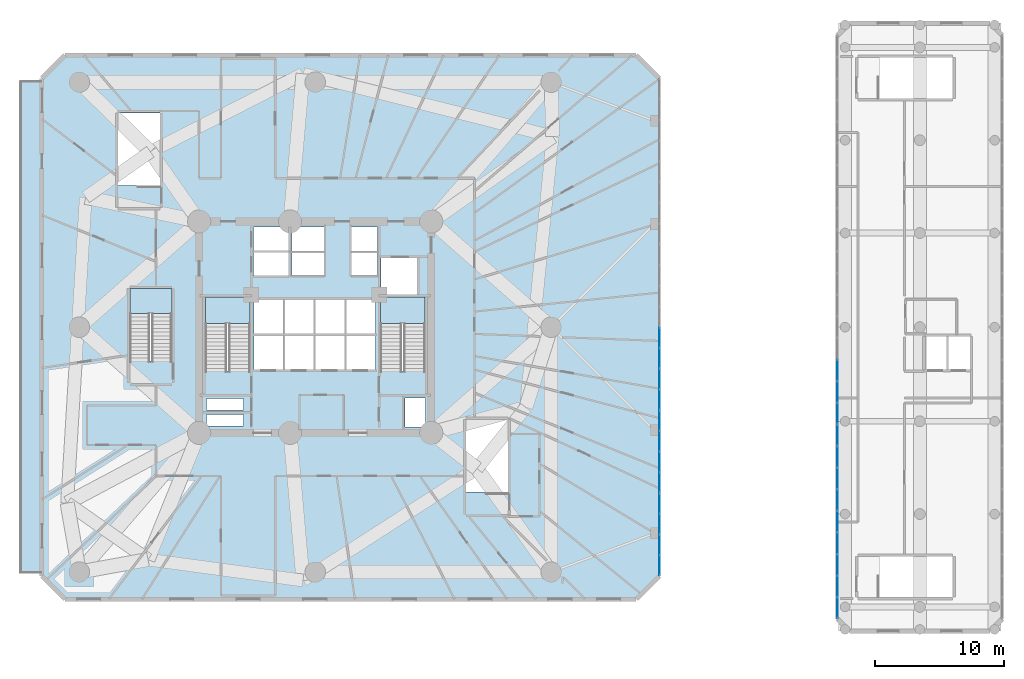
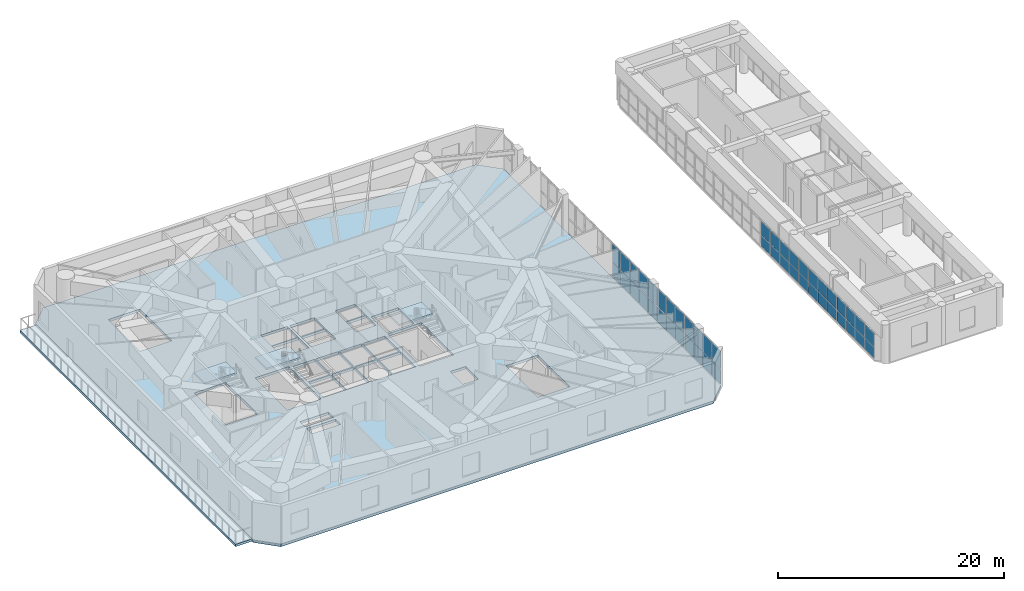
# One storey, part 10 of 22: 48 plates, 5 slabs, 8 elements without a shape of their own.
"""IFC4 building model written with IfcOpenShell, lengths in metres."""

import ifcopenshell
import ifcopenshell.guid

model = None  # the IFC model being written
_history = None  # IfcOwnerHistory: only IFC2X3 demands one
_inside = {}  # id of a spatial element -> (the spatial element, [elements in it])
_under = {}  # id of a project, library or spatial element -> (it, [spatial elements below it])
_declared = {}  # id of a project -> (the project, [libraries it declares])
_typed = {}  # id of a type object -> (the type object, [elements of that type])
_made_of = {}  # id of a material, layer set ... -> (it, [elements and type objects made of it])


def new_model(schema):
    """Start an empty IFC model of exactly this schema.

    Asked for "IFC4X3", IfcOpenShell would pick the latest addendum, in which some entities
    have other attributes; the version numbers below select the first issue.
    IFC2X3 requires an IfcOwnerHistory on every rooted entity: one is made here for all.
    """
    global model, _history
    if schema == "IFC4X3":
        model = ifcopenshell.file(schema_version=(4, 3, 0, 0))
    else:
        model = ifcopenshell.file(schema=schema)
    _inside.clear()
    _under.clear()
    _declared.clear()
    _typed.clear()
    _made_of.clear()
    _history = None
    if model.schema == "IFC2X3":
        org = make("IfcOrganization", Name="unknown")
        user = make(
            "IfcPersonAndOrganization",
            ThePerson=make("IfcPerson", FamilyName="unknown"),
            TheOrganization=org,
        )
        app = make(
            "IfcApplication",
            ApplicationDeveloper=org,
            Version="unknown",
            ApplicationFullName="unknown",
            ApplicationIdentifier="unknown",
        )
        _history = make(
            "IfcOwnerHistory",
            OwningUser=user,
            OwningApplication=app,
            ChangeAction="ADDED",
            CreationDate=0,
        )
    return model


def make(cls, **values):
    """One entity of the class cls with the attributes given. An attribute that is None is left unset."""
    return model.create_entity(
        cls, **{name: value for name, value in values.items() if value is not None}
    )


def rooted(cls, **values):
    """An entity with a GlobalId (a new one), such as an element, a storey or a relation."""
    return make(cls, GlobalId=ifcopenshell.guid.new(), OwnerHistory=_history, **values)


def si_unit(unit_type, name, prefix=None):
    """IfcSIUnit, for example si_unit("LENGTHUNIT", "METRE", prefix="MILLI")."""
    return make("IfcSIUnit", UnitType=unit_type, Prefix=prefix, Name=name)


def assignment(units):
    """IfcUnitAssignment: the units of a project."""
    return None if units is None else make("IfcUnitAssignment", Units=units)


def point(xyz):
    """IfcCartesianPoint."""
    return None if xyz is None else make("IfcCartesianPoint", Coordinates=xyz)


def direction(xyz):
    """IfcDirection."""
    return None if xyz is None else make("IfcDirection", DirectionRatios=xyz)


def frame(location, z_axis=None, x_axis=None):
    """IfcAxis2Placement3D, a coordinate frame: its origin and axes. An axis left out is left unset."""
    return make(
        "IfcAxis2Placement3D",
        Location=point(location),
        Axis=direction(z_axis),
        RefDirection=direction(x_axis),
    )


def frame_2d(location, x_axis=None):
    """IfcAxis2Placement2D, a coordinate frame in the plane: its origin and x axis."""
    return make(
        "IfcAxis2Placement2D", Location=point(location), RefDirection=direction(x_axis)
    )


def origin():
    """The frame at (0, 0, 0) with its axes left unset."""
    return frame((0.0, 0.0, 0.0))


def origin_with_axes():
    """The frame at (0, 0, 0) with the z axis (0, 0, 1) and the x axis (1, 0, 0) written out."""
    return frame((0.0, 0.0, 0.0), z_axis=(0.0, 0.0, 1.0), x_axis=(1.0, 0.0, 0.0))


def origin_2d():
    """The frame at (0, 0) in the plane with its x axis left unset."""
    return frame_2d((0.0, 0.0))


def place(relative_to, where):
    """IfcLocalPlacement: puts the frame where relative to a parent placement (None: the world)."""
    return make(
        "IfcLocalPlacement", PlacementRelTo=relative_to, RelativePlacement=where
    )


def context(
    kind, dimensions, precision=None, world=None, true_north=None, identifier=None
):
    """IfcGeometricRepresentationContext, for example the 3D "Model" context."""
    return make(
        "IfcGeometricRepresentationContext",
        ContextIdentifier=identifier,
        ContextType=kind,
        CoordinateSpaceDimension=dimensions,
        Precision=precision,
        WorldCoordinateSystem=world,
        TrueNorth=true_north,
    )


def subcontext(parent, identifier, kind, view, scale=None):
    """IfcGeometricRepresentationSubContext, for example "Body" below "Model"."""
    return make(
        "IfcGeometricRepresentationSubContext",
        ContextIdentifier=identifier,
        ContextType=kind,
        ParentContext=parent,
        TargetScale=scale,
        TargetView=view,
    )


def project(units=None, contexts=None):
    """IfcProject with its units and contexts."""
    return rooted(
        "IfcProject",
        Name="project",
        RepresentationContexts=contexts,
        UnitsInContext=assignment(units),
    )


def spatial(cls, under=None, at=None, **own):
    """A site, building, storey or space (cls), placed at a placement, below another one or the project."""
    s = rooted(cls, ObjectPlacement=at, **own)
    if under is not None:
        _under.setdefault(under.id(), (under, []))[1].append(s)
    return s


def polyline(points):
    """IfcPolyline through the points."""
    return make("IfcPolyline", Points=[point(p) for p in points])


def profile(cls, at=None, kind="AREA", **sizes):
    """A parametric profile (cls). Its sizes go by their IFC names, for example OverallWidth=200.0."""
    return make(cls, ProfileType=kind, Position=at, **sizes)


def rectangle(**sizes):
    """IfcRectangleProfileDef."""
    return profile("IfcRectangleProfileDef", **sizes)


def outline(outer, holes=None, kind="AREA"):
    """IfcArbitraryClosedProfileDef: a profile drawn as a closed curve; with holes, ...WithVoids."""
    if holes is None:
        return make("IfcArbitraryClosedProfileDef", ProfileType=kind, OuterCurve=outer)
    return make(
        "IfcArbitraryProfileDefWithVoids",
        ProfileType=kind,
        OuterCurve=outer,
        InnerCurves=holes,
    )


def extrude(swept, where, along, depth):
    """IfcExtrudedAreaSolid: the profile swept, set in the frame where, extruded along a direction by depth."""
    return make(
        "IfcExtrudedAreaSolid",
        SweptArea=swept,
        Position=where,
        ExtrudedDirection=direction(along),
        Depth=depth,
    )


def shape(context_of_items, identifier, shape_type, items):
    """IfcShapeRepresentation: the items that make up one representation, for example the "Body"."""
    return make(
        "IfcShapeRepresentation",
        ContextOfItems=context_of_items,
        RepresentationIdentifier=identifier,
        RepresentationType=shape_type,
        Items=items,
    )


def source(mapping_origin, context_of_items, identifier, shape_type, items):
    """IfcRepresentationMap: a shape defined once, which mapped items show again and again."""
    return make(
        "IfcRepresentationMap",
        MappingOrigin=mapping_origin,
        MappedRepresentation=shape(context_of_items, identifier, shape_type, items),
    )


def transform(
    local_origin,
    x_axis=None,
    y_axis=None,
    z_axis=None,
    scale=None,
    scale2=None,
    scale3=None,
    uniform=True,
):
    """IfcCartesianTransformationOperator3D, or its non-uniform kind. x_axis, y_axis, z_axis: its Axis1, 2, 3."""
    if uniform:
        return make(
            "IfcCartesianTransformationOperator3D",
            Axis1=direction(x_axis),
            Axis2=direction(y_axis),
            LocalOrigin=point(local_origin),
            Scale=scale,
            Axis3=direction(z_axis),
        )
    return make(
        "IfcCartesianTransformationOperator3DnonUniform",
        Axis1=direction(x_axis),
        Axis2=direction(y_axis),
        LocalOrigin=point(local_origin),
        Scale=scale,
        Axis3=direction(z_axis),
        Scale2=scale2,
        Scale3=scale3,
    )


def mapped(mapping_source, mapping_target):
    """IfcMappedItem: shows the shape of a source again, moved by a transform."""
    return make(
        "IfcMappedItem", MappingSource=mapping_source, MappingTarget=mapping_target
    )


def material(Name=None, Category=None):
    """IfcMaterial."""
    return make("IfcMaterial", Name=Name, Category=Category)


def layer(
    of_material, thickness, ventilated=None, Name=None, Category=None, Priority=None
):
    """IfcMaterialLayer: one layer of a wall or slab, of a material (None: an air gap)."""
    return make(
        "IfcMaterialLayer",
        Material=of_material,
        LayerThickness=thickness,
        IsVentilated=ventilated,
        Name=Name,
        Category=Category,
        Priority=Priority,
    )


def layer_set(layers, Name=None):
    """IfcMaterialLayerSet."""
    return make("IfcMaterialLayerSet", MaterialLayers=layers, LayerSetName=Name)


def made_of(thing, what):
    """Note that an element or type object is made of a material, layer set ...; save() writes the relation."""
    if what is not None:
        _made_of.setdefault(what.id(), (what, []))[1].append(thing)
    return thing


def type_object(cls, material=None, **own):
    """A type object (cls), such as IfcWallType, which elements share."""
    return made_of(rooted(cls, **own), material)


def element(
    cls,
    number,
    at=None,
    inside=None,
    cuts=None,
    type_object=None,
    material=None,
    context=None,
    identifier="Body",
    shape_type=None,
    held_by="IfcProductDefinitionShape",
    body=None,
    shapes=None,
    **own,
):
    """One element of the class cls, such as IfcWall. Its Tag is "e" and its number.

    at: its placement. inside: the storey or other place that contains it. cuts: it is an
    opening in that element (IfcRelVoidsElement). A single representation is given by context,
    identifier, shape_type and body (its items); several are given by shapes. held_by: the class
    of the entity that holds the representations. save() writes the other relations.
    """
    e = rooted(cls, Tag="e%d" % number, ObjectPlacement=at, **own)
    if body is not None:
        shapes = [shape(context, identifier, shape_type, body)]
    if shapes is not None:
        e.Representation = make(held_by, Representations=shapes)
    if inside is not None:
        _inside.setdefault(inside.id(), (inside, []))[1].append(e)
    if cuts is not None:
        rooted(
            "IfcRelVoidsElement", RelatingBuildingElement=cuts, RelatedOpeningElement=e
        )
    if type_object is not None:
        _typed.setdefault(type_object.id(), (type_object, []))[1].append(e)
    return made_of(e, material)


def aggregate(whole, parts):
    """IfcRelAggregates: a whole, such as a stair, and the parts it consists of."""
    return rooted("IfcRelAggregates", RelatingObject=whole, RelatedObjects=parts)


def save(model, path):
    """Write the relations noted so far, then the file.

    IfcRelAggregates (storeys below a building ...), IfcRelContainedInSpatialStructure (elements
    in a storey), IfcRelDefinesByType, IfcRelAssociatesMaterial and IfcRelDeclares: one each for
    every whole, place, type object, material and project.
    """
    for whole, parts in _under.values():
        aggregate(whole, parts)
    for where, things in _inside.values():
        rooted(
            "IfcRelContainedInSpatialStructure",
            RelatedElements=things,
            RelatingStructure=where,
        )
    for kind, things in _typed.values():
        rooted("IfcRelDefinesByType", RelatedObjects=things, RelatingType=kind)
    for what, things in _made_of.values():
        rooted("IfcRelAssociatesMaterial", RelatedObjects=things, RelatingMaterial=what)
    for by, libraries in _declared.values():
        rooted("IfcRelDeclares", RelatingContext=by, RelatedDefinitions=libraries)
    model.write(path)


model = new_model("IFC4")

# Units and contexts
model_context = context("Model", 3, precision=1e-05, world=origin(), true_north=direction((0.0, 1.0)))
body_context = subcontext(model_context, "Body", "Model", "MODEL_VIEW")
ifc_project = project(units=[si_unit("LENGTHUNIT", "METRE"), si_unit("AREAUNIT", "SQUARE_METRE"), si_unit("VOLUMEUNIT", "CUBIC_METRE"), si_unit("PLANEANGLEUNIT", "RADIAN"), si_unit("MASSUNIT", "GRAM", prefix="KILO")], contexts=[model_context])

# Site, building, storey
site_placement = place(None, origin())
site = spatial("IfcSite", under=ifc_project, at=site_placement, CompositionType="ELEMENT")
building_placement = place(site_placement, origin())
building = spatial("IfcBuilding", under=site, at=building_placement, Name="Karkom Vertical University and Central Library", CompositionType="ELEMENT")
storey_placement = place(building_placement, frame((0.0, 0.0, 18.0)))
storey = spatial("IfcBuildingStorey", under=building, at=storey_placement, Name="L04", CompositionType="ELEMENT", Elevation=18.0)

# Stair, slab
ifc_material_1 = material(Name="Concrete C45/55", Category="concrete")
stair_type_1 = type_object("IfcStairType", Name="INT-STR-ST-MAIN", PredefinedType="HALF_TURN_STAIR", material=ifc_material_1)
stair_1_placement = place(storey_placement, origin())
stair_1 = element("IfcStair", 1, at=stair_1_placement, inside=storey, type_object=stair_type_1, Name="Level 04 Tower Protected Exit Stair ST-1", PredefinedType="HALF_TURN_STAIR")
ifc_layer_1 = layer(ifc_material_1, 0.199951171875)
ifc_layer_set_1 = layer_set([ifc_layer_1], Name="Concrete C45/55")
slab_type_1 = type_object("IfcSlabType", Name="INT-SLB-LANDING", PredefinedType="LANDING", material=ifc_layer_set_1)
slab_1_placement = place(storey_placement, frame((0.0, 0.0, 2.050048828125)))
slab_1 = element("IfcSlab", 2, at=slab_1_placement, type_object=slab_type_1, Name="ST-1 landing 1", PredefinedType="LANDING", context=body_context, shape_type="SweptSolid", body=[
    extrude(outline(polyline([(23.43994140625, 26.7900390625), (23.43994140625, 28.820068359375), (19.97998046875, 28.820068359375), (19.97998046875, 26.7900390625), (23.43994140625, 26.7900390625)])), origin(), (0.0, 0.0, 1.0), 0.199951171875),
])
aggregate(stair_1, [slab_1])

stair_2_placement = place(storey_placement, origin())
stair_2 = element("IfcStair", 3, at=stair_2_placement, inside=storey, type_object=stair_type_1, Name="Level 04 Tower Protected Exit Stair ST-2", PredefinedType="HALF_TURN_STAIR")
slab_2_placement = place(storey_placement, frame((0.0, 0.0, 2.050048828125)))
slab_2 = element("IfcSlab", 4, at=slab_2_placement, type_object=slab_type_1, Name="ST-2 landing 1", PredefinedType="LANDING", context=body_context, shape_type="SweptSolid", body=[
    extrude(outline(polyline([(37.02001953125, 26.7900390625), (37.02001953125, 28.820068359375), (33.56005859375, 28.820068359375), (33.56005859375, 26.7900390625), (37.02001953125, 26.7900390625)])), origin(), (0.0, 0.0, 1.0), 0.199951171875),
])
aggregate(stair_2, [slab_2])

stair_type_2 = type_object("IfcStairType", Name="INT-STR-ST-SEC", PredefinedType="HALF_TURN_STAIR", material=ifc_material_1)
stair_3_placement = place(storey_placement, origin())
stair_3 = element("IfcStair", 5, at=stair_3_placement, inside=storey, type_object=stair_type_2, Name="Level 04 Academic Zone Protected Exit Stair ST-3", PredefinedType="HALF_TURN_STAIR")
slab_3_placement = place(storey_placement, frame((0.0, 0.0, 2.050048828125)))
slab_3 = element("IfcSlab", 6, at=slab_3_placement, type_object=slab_type_1, Name="ST-3 landing 1", PredefinedType="LANDING", context=body_context, shape_type="SweptSolid", body=[
    extrude(outline(polyline([(17.3798828125, 27.570068359375), (17.3798828125, 29.5), (14.1201171875, 29.5), (14.1201171875, 27.570068359375), (17.3798828125, 27.570068359375)])), origin(), (0.0, 0.0, 1.0), 0.199951171875),
])
aggregate(stair_3, [slab_3])

# Slabs
ifc_layer_2 = layer(ifc_material_1, 0.27490234375)
ifc_layer_set_2 = layer_set([ifc_layer_2], Name="Concrete C45/55")
slab_type_2 = type_object("IfcSlabType", Name="STR-SLB-FLR-275", PredefinedType="FLOOR", material=ifc_layer_set_2)
slab_4_placement = place(storey_placement, frame((0.0, 0.0, -0.27490234375)))
element("IfcSlab", 7, at=slab_4_placement, inside=storey, type_object=slab_type_2, Name="Level 04 Tower Podium Floor Slab", PredefinedType="FLOOR", context=body_context, shape_type="SweptSolid", body=[
    extrude(outline(polyline([(9.10009765625, 5.39990234375), (53.39990234375, 5.39990234375), (55.199951171875, 7.199951171875), (55.199951171875, 45.800048828125), (53.39990234375, 47.60009765625), (9.10009765625, 47.60009765625), (7.300048828125, 45.800048828125), (7.300048828125, 7.199951171875), (9.10009765625, 5.39990234375)]), holes=[polyline([(19.97998046875, 23.0849609375), (23.43994140625, 23.0849609375), (23.43994140625, 28.820068359375), (19.97998046875, 28.820068359375), (19.97998046875, 23.0849609375)]), polyline([(33.56005859375, 23.0849609375), (37.02001953125, 23.0849609375), (37.02001953125, 28.820068359375), (33.56005859375, 28.820068359375), (33.56005859375, 23.0849609375)]), polyline([(14.1201171875, 23.864990234375), (17.3798828125, 23.864990234375), (17.3798828125, 29.5), (14.1201171875, 29.5), (14.1201171875, 23.864990234375)]), polyline([(40.199951171875, 13.695068359375), (43.4599609375, 13.695068359375), (43.4599609375, 19.330078125), (40.199951171875, 19.330078125), (40.199951171875, 13.695068359375)]), polyline([(13.199951171875, 37.4951171875), (16.4599609375, 37.4951171875), (16.4599609375, 43.1298828125), (13.199951171875, 43.1298828125), (13.199951171875, 37.4951171875)]), polyline([(23.75, 23.199951171875), (26.030029296875, 23.199951171875), (26.030029296875, 25.85009765625), (23.75, 25.85009765625), (23.75, 23.199951171875)]), polyline([(26.1298828125, 23.199951171875), (28.409912109375, 23.199951171875), (28.409912109375, 25.85009765625), (26.1298828125, 25.85009765625), (26.1298828125, 23.199951171875)]), polyline([(28.510009765625, 23.199951171875), (30.7900390625, 23.199951171875), (30.7900390625, 25.85009765625), (28.510009765625, 25.85009765625), (28.510009765625, 23.199951171875)]), polyline([(30.889892578125, 23.199951171875), (33.169921875, 23.199951171875), (33.169921875, 25.85009765625), (30.889892578125, 25.85009765625), (30.889892578125, 23.199951171875)]), polyline([(23.75, 26.0), (26.030029296875, 26.0), (26.030029296875, 28.64990234375), (23.75, 28.64990234375), (23.75, 26.0)]), polyline([(26.1298828125, 26.0), (28.409912109375, 26.0), (28.409912109375, 28.64990234375), (26.1298828125, 28.64990234375), (26.1298828125, 26.0)]), polyline([(28.510009765625, 26.0), (30.7900390625, 26.0), (30.7900390625, 28.64990234375), (28.510009765625, 28.64990234375), (28.510009765625, 26.0)]), polyline([(30.889892578125, 26.0), (33.169921875, 26.0), (33.169921875, 28.64990234375), (30.889892578125, 28.64990234375), (30.889892578125, 26.0)]), polyline([(26.679931640625, 30.5), (29.199951171875, 30.5), (29.199951171875, 32.25), (26.679931640625, 32.25), (26.679931640625, 30.5)]), polyline([(26.679931640625, 32.39990234375), (29.199951171875, 32.39990234375), (29.199951171875, 34.25), (26.679931640625, 34.25), (26.679931640625, 32.39990234375)]), polyline([(31.300048828125, 30.5), (33.35009765625, 30.5), (33.35009765625, 32.25), (31.300048828125, 32.25), (31.300048828125, 30.5)]), polyline([(31.300048828125, 32.39990234375), (33.35009765625, 32.39990234375), (33.35009765625, 34.25), (31.300048828125, 34.25), (31.300048828125, 32.39990234375)]), polyline([(23.719970703125, 30.47998046875), (26.429931640625, 30.47998046875), (26.429931640625, 32.320068359375), (23.719970703125, 32.320068359375), (23.719970703125, 30.47998046875)]), polyline([(23.719970703125, 32.419921875), (26.429931640625, 32.419921875), (26.429931640625, 34.260009765625), (23.719970703125, 34.260009765625), (23.719970703125, 32.419921875)]), polyline([(33.60009765625, 29.050048828125), (36.39990234375, 29.050048828125), (36.39990234375, 31.85009765625), (33.60009765625, 31.85009765625), (33.60009765625, 29.050048828125)]), polyline([(20.050048828125, 18.820068359375), (22.949951171875, 18.820068359375), (22.949951171875, 19.719970703125), (20.050048828125, 19.719970703125), (20.050048828125, 18.820068359375)]), polyline([(20.050048828125, 20.06005859375), (22.949951171875, 20.06005859375), (22.949951171875, 20.9599609375), (20.050048828125, 20.9599609375), (20.050048828125, 20.06005859375)]), polyline([(35.4599609375, 18.760009765625), (37.0400390625, 18.760009765625), (37.0400390625, 21.010009765625), (35.4599609375, 21.010009765625), (35.4599609375, 18.760009765625)])]), origin(), (0.0, 0.0, 1.0), 0.27490234375),
])
ifc_layer_3 = layer(ifc_material_1, 0.199951171875)
ifc_layer_set_3 = layer_set([ifc_layer_3], Name="Concrete C45/55")
slab_type_3 = type_object("IfcSlabType", Name="STR-SLB-PLN-260", PredefinedType="USERDEFINED", material=ifc_layer_set_3)
slab_5_placement = place(storey_placement, frame((0.0, 0.0, -0.260009765625)))
element("IfcSlab", 8, at=slab_5_placement, inside=storey, type_object=slab_type_3, Name="Level 04 Terraced Podium Planted Roof Garden Planter", ObjectType="PLANTER", PredefinedType="USERDEFINED", context=body_context, shape_type="SweptSolid", body=[
    extrude(outline(polyline([(5.60009765625, 7.39990234375), (7.300048828125, 7.39990234375), (7.300048828125, 45.60009765625), (5.60009765625, 45.60009765625), (5.60009765625, 7.39990234375)])), origin(), (0.0, 0.0, 1.0), 0.260009765625),
])

# Curtain wall, plates
ifc_material_2 = material(Name="Aluminium curtain-wall framing and low-E IGU", Category="aluminium")
ifc_layer_4 = layer(ifc_material_2, 0.199951171875)
ifc_layer_set_4 = layer_set([ifc_layer_4], Name="Aluminium curtain-wall framing and low-E IGU")
curtain_wall_type_1 = type_object("IfcCurtainWallType", Name="ENV-CW-4", PredefinedType="USERDEFINED", material=ifc_layer_set_4)
curtain_wall_1_placement = place(storey_placement, origin())
curtain_wall_1 = element("IfcCurtainWall", 9, at=curtain_wall_1_placement, inside=storey, type_object=curtain_wall_type_1, Name="Level 04 CW-4 Curtain Wall Level 04-CW4-3-1", ObjectType="UNITISED GLAZING", PredefinedType="USERDEFINED")
ifc_material_3 = material(Name="Solar-control low-E double glazing 32mm", Category="glass")
ifc_layer_5 = layer(ifc_material_3, 0.031982421875)
ifc_layer_set_5 = layer_set([ifc_layer_5], Name="Solar-control low-E double glazing 32mm")
plate_type_1 = type_object("IfcPlateType", Name="ENV-PLT-GLZ-32", PredefinedType="CURTAIN_PANEL", material=ifc_layer_set_5)
shared_shape_1 = source(origin_with_axes(), body_context, "Body", "SweptSolid", [
    extrude(rectangle(XDim=1.5107421875, YDim=0.031982421875, at=origin_2d()), origin(), (0.0, 0.0, 1.0), 1.57861328125),
])
plate_1_placement = place(storey_placement, frame((55.199951171875, 8.0205078125, 0.06494140625), z_axis=(0.0, 0.0, 1.0), x_axis=(0.0, 1.0, 0.0)))
plate_1 = element("IfcPlate", 10, at=plate_1_placement, type_object=plate_type_1, Name="CW-4 panel 1.1", PredefinedType="CURTAIN_PANEL", context=body_context, shape_type="MappedRepresentation", body=[
    mapped(shared_shape_1, transform((0.0, 0.0, 0.0), scale=1.0)),
])
plate_2_placement = place(storey_placement, frame((55.199951171875, 12.81298828125, 0.06494140625), z_axis=(0.0, 0.0, 1.0), x_axis=(0.0, 1.0, 0.0)))
plate_2 = element("IfcPlate", 11, at=plate_2_placement, type_object=plate_type_1, Name="CW-4 panel 4.1", PredefinedType="CURTAIN_PANEL", context=body_context, shape_type="MappedRepresentation", body=[
    mapped(shared_shape_1, transform((0.0, 0.0, 0.0), scale=1.0)),
])

curtain_wall_2_placement = place(storey_placement, origin())
curtain_wall_2 = element("IfcCurtainWall", 12, at=curtain_wall_2_placement, inside=storey, type_object=curtain_wall_type_1, Name="Level 04 CW-4 Curtain Wall Level 04-CW4-3-2", ObjectType="UNITISED GLAZING", PredefinedType="USERDEFINED")
plate_3_placement = place(storey_placement, frame((55.199951171875, 14.45361328125, 0.06494140625), z_axis=(0.0, 0.0, 1.0), x_axis=(0.0, 1.0, 0.0)))
plate_3 = element("IfcPlate", 13, at=plate_3_placement, type_object=plate_type_1, Name="CW-4 panel 1.1", PredefinedType="CURTAIN_PANEL", context=body_context, shape_type="MappedRepresentation", body=[
    mapped(shared_shape_1, transform((0.0, 0.0, 0.0), scale=1.0)),
])
plate_4_placement = place(storey_placement, frame((55.199951171875, 19.246337890625, 0.06494140625), z_axis=(0.0, 0.0, 1.0), x_axis=(0.0, 1.0, 0.0)))
plate_4 = element("IfcPlate", 14, at=plate_4_placement, type_object=plate_type_1, Name="CW-4 panel 4.1", PredefinedType="CURTAIN_PANEL", context=body_context, shape_type="MappedRepresentation", body=[
    mapped(shared_shape_1, transform((0.0, 0.0, 0.0), scale=1.0)),
])

curtain_wall_3_placement = place(storey_placement, origin())
curtain_wall_3 = element("IfcCurtainWall", 15, at=curtain_wall_3_placement, inside=storey, type_object=curtain_wall_type_1, Name="Level 04 CW-4 Curtain Wall Level 04-CW4-3-3", ObjectType="UNITISED GLAZING", PredefinedType="USERDEFINED")
plate_5_placement = place(storey_placement, frame((55.199951171875, 20.88720703125, 0.06494140625), z_axis=(0.0, 0.0, 1.0), x_axis=(0.0, 1.0, 0.0)))
plate_5 = element("IfcPlate", 16, at=plate_5_placement, type_object=plate_type_1, Name="CW-4 panel 1.1", PredefinedType="CURTAIN_PANEL", context=body_context, shape_type="MappedRepresentation", body=[
    mapped(shared_shape_1, transform((0.0, 0.0, 0.0), scale=1.0)),
])
plate_6_placement = place(storey_placement, frame((55.199951171875, 25.6796875, 0.06494140625), z_axis=(0.0, 0.0, 1.0), x_axis=(0.0, 1.0, 0.0)))
plate_6 = element("IfcPlate", 17, at=plate_6_placement, type_object=plate_type_1, Name="CW-4 panel 4.1", PredefinedType="CURTAIN_PANEL", context=body_context, shape_type="MappedRepresentation", body=[
    mapped(shared_shape_1, transform((0.0, 0.0, 0.0), scale=1.0)),
])

# Plate
shared_shape_2 = source(origin_with_axes(), body_context, "Body", "SweptSolid", [
    extrude(rectangle(XDim=1.5107421875, YDim=0.031982421875, at=origin_2d()), origin(), (0.0, 0.0, 1.0), 1.951416015625),
])
plate_7_placement = place(storey_placement, frame((55.199951171875, 8.0205078125, 1.70849609375), z_axis=(0.0, 0.0, 1.0), x_axis=(0.0, 1.0, 0.0)))
plate_7 = element("IfcPlate", 18, at=plate_7_placement, type_object=plate_type_1, Name="CW-4 panel 1.2", PredefinedType="CURTAIN_PANEL", context=body_context, shape_type="MappedRepresentation", body=[
    mapped(shared_shape_2, transform((0.0, 0.0, 0.0), scale=1.0)),
])

plate_8_placement = place(storey_placement, frame((55.199951171875, 12.81298828125, 1.70849609375), z_axis=(0.0, 0.0, 1.0), x_axis=(0.0, 1.0, 0.0)))
plate_8 = element("IfcPlate", 19, at=plate_8_placement, type_object=plate_type_1, Name="CW-4 panel 4.2", PredefinedType="CURTAIN_PANEL", context=body_context, shape_type="MappedRepresentation", body=[
    mapped(shared_shape_2, transform((0.0, 0.0, 0.0), scale=1.0)),
])

plate_9_placement = place(storey_placement, frame((55.199951171875, 14.45361328125, 1.70849609375), z_axis=(0.0, 0.0, 1.0), x_axis=(0.0, 1.0, 0.0)))
plate_9 = element("IfcPlate", 20, at=plate_9_placement, type_object=plate_type_1, Name="CW-4 panel 1.2", PredefinedType="CURTAIN_PANEL", context=body_context, shape_type="MappedRepresentation", body=[
    mapped(shared_shape_2, transform((0.0, 0.0, 0.0), scale=1.0)),
])

plate_10_placement = place(storey_placement, frame((55.199951171875, 19.246337890625, 1.70849609375), z_axis=(0.0, 0.0, 1.0), x_axis=(0.0, 1.0, 0.0)))
plate_10 = element("IfcPlate", 21, at=plate_10_placement, type_object=plate_type_1, Name="CW-4 panel 4.2", PredefinedType="CURTAIN_PANEL", context=body_context, shape_type="MappedRepresentation", body=[
    mapped(shared_shape_2, transform((0.0, 0.0, 0.0), scale=1.0)),
])

plate_11_placement = place(storey_placement, frame((55.199951171875, 20.88720703125, 1.70849609375), z_axis=(0.0, 0.0, 1.0), x_axis=(0.0, 1.0, 0.0)))
plate_11 = element("IfcPlate", 22, at=plate_11_placement, type_object=plate_type_1, Name="CW-4 panel 1.2", PredefinedType="CURTAIN_PANEL", context=body_context, shape_type="MappedRepresentation", body=[
    mapped(shared_shape_2, transform((0.0, 0.0, 0.0), scale=1.0)),
])

plate_12_placement = place(storey_placement, frame((55.199951171875, 25.6796875, 1.70849609375), z_axis=(0.0, 0.0, 1.0), x_axis=(0.0, 1.0, 0.0)))
plate_12 = element("IfcPlate", 23, at=plate_12_placement, type_object=plate_type_1, Name="CW-4 panel 4.2", PredefinedType="CURTAIN_PANEL", context=body_context, shape_type="MappedRepresentation", body=[
    mapped(shared_shape_2, transform((0.0, 0.0, 0.0), scale=1.0)),
])

shared_shape_3 = source(origin_with_axes(), body_context, "Body", "SweptSolid", [
    extrude(rectangle(XDim=1.543212890625, YDim=0.031982421875, at=origin_2d()), origin(), (0.0, 0.0, 1.0), 1.57861328125),
])
plate_13_placement = place(storey_placement, frame((55.199951171875, 9.612548828125, 0.06494140625), z_axis=(0.0, 0.0, 1.0), x_axis=(0.0, 1.0, 0.0)))
plate_13 = element("IfcPlate", 24, at=plate_13_placement, type_object=plate_type_1, Name="CW-4 panel 2.1", PredefinedType="CURTAIN_PANEL", context=body_context, shape_type="MappedRepresentation", body=[
    mapped(shared_shape_3, transform((0.0, 0.0, 0.0), scale=1.0)),
])

plate_14_placement = place(storey_placement, frame((55.199951171875, 11.220703125, 0.06494140625), z_axis=(0.0, 0.0, 1.0), x_axis=(0.0, 1.0, 0.0)))
plate_14 = element("IfcPlate", 25, at=plate_14_placement, type_object=plate_type_1, Name="CW-4 panel 3.1", PredefinedType="CURTAIN_PANEL", context=body_context, shape_type="MappedRepresentation", body=[
    mapped(shared_shape_3, transform((0.0, 0.0, 0.0), scale=1.0)),
])

plate_15_placement = place(storey_placement, frame((55.199951171875, 22.479248046875, 0.06494140625), z_axis=(0.0, 0.0, 1.0), x_axis=(0.0, 1.0, 0.0)))
plate_15 = element("IfcPlate", 26, at=plate_15_placement, type_object=plate_type_1, Name="CW-4 panel 2.1", PredefinedType="CURTAIN_PANEL", context=body_context, shape_type="MappedRepresentation", body=[
    mapped(shared_shape_3, transform((0.0, 0.0, 0.0), scale=1.0)),
])

plate_16_placement = place(storey_placement, frame((55.199951171875, 24.08740234375, 0.06494140625), z_axis=(0.0, 0.0, 1.0), x_axis=(0.0, 1.0, 0.0)))
plate_16 = element("IfcPlate", 27, at=plate_16_placement, type_object=plate_type_1, Name="CW-4 panel 3.1", PredefinedType="CURTAIN_PANEL", context=body_context, shape_type="MappedRepresentation", body=[
    mapped(shared_shape_3, transform((0.0, 0.0, 0.0), scale=1.0)),
])

shared_shape_4 = source(origin_with_axes(), body_context, "Body", "SweptSolid", [
    extrude(rectangle(XDim=1.543212890625, YDim=0.031982421875, at=origin_2d()), origin(), (0.0, 0.0, 1.0), 1.951416015625),
])
plate_17_placement = place(storey_placement, frame((55.199951171875, 9.612548828125, 1.70849609375), z_axis=(0.0, 0.0, 1.0), x_axis=(0.0, 1.0, 0.0)))
plate_17 = element("IfcPlate", 28, at=plate_17_placement, type_object=plate_type_1, Name="CW-4 panel 2.2", PredefinedType="CURTAIN_PANEL", context=body_context, shape_type="MappedRepresentation", body=[
    mapped(shared_shape_4, transform((0.0, 0.0, 0.0), scale=1.0)),
])

plate_18_placement = place(storey_placement, frame((55.199951171875, 11.220703125, 1.70849609375), z_axis=(0.0, 0.0, 1.0), x_axis=(0.0, 1.0, 0.0)))
plate_18 = element("IfcPlate", 29, at=plate_18_placement, type_object=plate_type_1, Name="CW-4 panel 3.2", PredefinedType="CURTAIN_PANEL", context=body_context, shape_type="MappedRepresentation", body=[
    mapped(shared_shape_4, transform((0.0, 0.0, 0.0), scale=1.0)),
])

aggregate(curtain_wall_1, [plate_1, plate_7, plate_13, plate_17, plate_14, plate_18, plate_2, plate_8])

plate_19_placement = place(storey_placement, frame((55.199951171875, 22.479248046875, 1.70849609375), z_axis=(0.0, 0.0, 1.0), x_axis=(0.0, 1.0, 0.0)))
plate_19 = element("IfcPlate", 30, at=plate_19_placement, type_object=plate_type_1, Name="CW-4 panel 2.2", PredefinedType="CURTAIN_PANEL", context=body_context, shape_type="MappedRepresentation", body=[
    mapped(shared_shape_4, transform((0.0, 0.0, 0.0), scale=1.0)),
])

plate_20_placement = place(storey_placement, frame((55.199951171875, 24.08740234375, 1.70849609375), z_axis=(0.0, 0.0, 1.0), x_axis=(0.0, 1.0, 0.0)))
plate_20 = element("IfcPlate", 31, at=plate_20_placement, type_object=plate_type_1, Name="CW-4 panel 3.2", PredefinedType="CURTAIN_PANEL", context=body_context, shape_type="MappedRepresentation", body=[
    mapped(shared_shape_4, transform((0.0, 0.0, 0.0), scale=1.0)),
])

aggregate(curtain_wall_3, [plate_5, plate_11, plate_15, plate_19, plate_16, plate_20, plate_6, plate_12])

shared_shape_5 = source(origin_with_axes(), body_context, "Body", "SweptSolid", [
    extrude(rectangle(XDim=1.54345703125, YDim=0.031982421875, at=origin_2d()), origin(), (0.0, 0.0, 1.0), 1.57861328125),
])
plate_21_placement = place(storey_placement, frame((55.199951171875, 16.0458984375, 0.06494140625), z_axis=(0.0, 0.0, 1.0), x_axis=(0.0, 1.0, 0.0)))
plate_21 = element("IfcPlate", 32, at=plate_21_placement, type_object=plate_type_1, Name="CW-4 panel 2.1", PredefinedType="CURTAIN_PANEL", context=body_context, shape_type="MappedRepresentation", body=[
    mapped(shared_shape_5, transform((0.0, 0.0, 0.0), scale=1.0)),
])

plate_22_placement = place(storey_placement, frame((55.199951171875, 17.654296875, 0.06494140625), z_axis=(0.0, 0.0, 1.0), x_axis=(0.0, 1.0, 0.0)))
plate_22 = element("IfcPlate", 33, at=plate_22_placement, type_object=plate_type_1, Name="CW-4 panel 3.1", PredefinedType="CURTAIN_PANEL", context=body_context, shape_type="MappedRepresentation", body=[
    mapped(shared_shape_5, transform((0.0, 0.0, 0.0), scale=1.0)),
])

shared_shape_6 = source(origin_with_axes(), body_context, "Body", "SweptSolid", [
    extrude(rectangle(XDim=1.54345703125, YDim=0.031982421875, at=origin_2d()), origin(), (0.0, 0.0, 1.0), 1.951416015625),
])
plate_23_placement = place(storey_placement, frame((55.199951171875, 16.0458984375, 1.70849609375), z_axis=(0.0, 0.0, 1.0), x_axis=(0.0, 1.0, 0.0)))
plate_23 = element("IfcPlate", 34, at=plate_23_placement, type_object=plate_type_1, Name="CW-4 panel 2.2", PredefinedType="CURTAIN_PANEL", context=body_context, shape_type="MappedRepresentation", body=[
    mapped(shared_shape_6, transform((0.0, 0.0, 0.0), scale=1.0)),
])

plate_24_placement = place(storey_placement, frame((55.199951171875, 17.654296875, 1.70849609375), z_axis=(0.0, 0.0, 1.0), x_axis=(0.0, 1.0, 0.0)))
plate_24 = element("IfcPlate", 35, at=plate_24_placement, type_object=plate_type_1, Name="CW-4 panel 3.2", PredefinedType="CURTAIN_PANEL", context=body_context, shape_type="MappedRepresentation", body=[
    mapped(shared_shape_6, transform((0.0, 0.0, 0.0), scale=1.0)),
])

aggregate(curtain_wall_2, [plate_3, plate_9, plate_21, plate_23, plate_22, plate_24, plate_4, plate_10])

# Curtain wall, plate
ifc_layer_6 = layer(ifc_material_2, 0.199951171875)
ifc_layer_set_6 = layer_set([ifc_layer_6], Name="Aluminium curtain-wall framing and low-E IGU")
curtain_wall_type_2 = type_object("IfcCurtainWallType", Name="ENV-CW-2", PredefinedType="USERDEFINED", material=ifc_layer_set_6)
curtain_wall_4_placement = place(storey_placement, origin())
curtain_wall_4 = element("IfcCurtainWall", 36, at=curtain_wall_4_placement, inside=storey, type_object=curtain_wall_type_2, Name="Level 04 CW-2 Curtain Wall Level 04-CW2-7-2", ObjectType="STICK MULLION GLAZING", PredefinedType="USERDEFINED")
ifc_material_4 = material(Name="Solar-control low-E double glazing 28mm", Category="glass")
ifc_layer_7 = layer(ifc_material_4, 0.028076171875)
ifc_layer_set_7 = layer_set([ifc_layer_7], Name="Solar-control low-E double glazing 28mm")
plate_type_2 = type_object("IfcPlateType", Name="ENV-PLT-GLZ-28", PredefinedType="CURTAIN_PANEL", material=ifc_layer_set_7)
shared_shape_7 = source(origin_with_axes(), body_context, "Body", "SweptSolid", [
    extrude(rectangle(XDim=1.586181640625, YDim=0.028076171875, at=origin_2d()), origin(), (0.0, 0.0, 1.0), 1.181396484375),
])
plate_25_placement = place(storey_placement, frame((69.0, 19.809814453125, 0.06005859375), z_axis=(0.0, 0.0, 1.0), x_axis=(0.0, -1.0, 0.0)))
plate_25 = element("IfcPlate", 37, at=plate_25_placement, type_object=plate_type_2, Name="CW-2 panel 9.1", PredefinedType="CURTAIN_PANEL", context=body_context, shape_type="MappedRepresentation", body=[
    mapped(shared_shape_7, transform((0.0, 0.0, 0.0), scale=1.0)),
])

# Curtain wall, plates
curtain_wall_5_placement = place(storey_placement, origin())
curtain_wall_5 = element("IfcCurtainWall", 38, at=curtain_wall_5_placement, inside=storey, type_object=curtain_wall_type_2, Name="Level 04 CW-2 Curtain Wall Level 04-CW2-7-3", ObjectType="STICK MULLION GLAZING", PredefinedType="USERDEFINED")
plate_26_placement = place(storey_placement, frame((69.0, 18.103515625, 0.06005859375), z_axis=(0.0, 0.0, 1.0), x_axis=(0.0, -1.0, 0.0)))
plate_26 = element("IfcPlate", 39, at=plate_26_placement, type_object=plate_type_2, Name="CW-2 panel 1.1", PredefinedType="CURTAIN_PANEL", context=body_context, shape_type="MappedRepresentation", body=[
    mapped(shared_shape_7, transform((0.0, 0.0, 0.0), scale=1.0)),
])
plate_27_placement = place(storey_placement, frame((69.0, 4.72314453125, 0.06005859375), z_axis=(0.0, 0.0, 1.0), x_axis=(0.0, -1.0, 0.0)))
plate_27 = element("IfcPlate", 40, at=plate_27_placement, type_object=plate_type_2, Name="CW-2 panel 9.1", PredefinedType="CURTAIN_PANEL", context=body_context, shape_type="MappedRepresentation", body=[
    mapped(shared_shape_7, transform((0.0, 0.0, 0.0), scale=1.0)),
])

# Plate
shared_shape_8 = source(origin_with_axes(), body_context, "Body", "SweptSolid", [
    extrude(rectangle(XDim=1.586181640625, YDim=0.028076171875, at=origin_2d()), origin(), (0.0, 0.0, 1.0), 1.463623046875),
])
plate_28_placement = place(storey_placement, frame((69.0, 19.809814453125, 1.30126953125), z_axis=(0.0, 0.0, 1.0), x_axis=(0.0, -1.0, 0.0)))
plate_28 = element("IfcPlate", 41, at=plate_28_placement, type_object=plate_type_2, Name="CW-2 panel 9.2", PredefinedType="CURTAIN_PANEL", context=body_context, shape_type="MappedRepresentation", body=[
    mapped(shared_shape_8, transform((0.0, 0.0, 0.0), scale=1.0)),
])

plate_29_placement = place(storey_placement, frame((69.0, 18.103515625, 1.30126953125), z_axis=(0.0, 0.0, 1.0), x_axis=(0.0, -1.0, 0.0)))
plate_29 = element("IfcPlate", 42, at=plate_29_placement, type_object=plate_type_2, Name="CW-2 panel 1.2", PredefinedType="CURTAIN_PANEL", context=body_context, shape_type="MappedRepresentation", body=[
    mapped(shared_shape_8, transform((0.0, 0.0, 0.0), scale=1.0)),
])

plate_30_placement = place(storey_placement, frame((69.0, 4.72314453125, 1.30126953125), z_axis=(0.0, 0.0, 1.0), x_axis=(0.0, -1.0, 0.0)))
plate_30 = element("IfcPlate", 43, at=plate_30_placement, type_object=plate_type_2, Name="CW-2 panel 9.2", PredefinedType="CURTAIN_PANEL", context=body_context, shape_type="MappedRepresentation", body=[
    mapped(shared_shape_8, transform((0.0, 0.0, 0.0), scale=1.0)),
])

shared_shape_9 = source(origin_with_axes(), body_context, "Body", "SweptSolid", [
    extrude(rectangle(XDim=1.6162109375, YDim=0.028076171875, at=origin_2d()), origin(), (0.0, 0.0, 1.0), 1.181396484375),
])
plate_31_placement = place(storey_placement, frame((69.0, 23.1474609375, 0.06005859375), z_axis=(0.0, 0.0, 1.0), x_axis=(0.0, -1.0, 0.0)))
plate_31 = element("IfcPlate", 44, at=plate_31_placement, type_object=plate_type_2, Name="CW-2 panel 7.1", PredefinedType="CURTAIN_PANEL", context=body_context, shape_type="MappedRepresentation", body=[
    mapped(shared_shape_9, transform((0.0, 0.0, 0.0), scale=1.0)),
])

plate_32_placement = place(storey_placement, frame((69.0, 21.47119140625, 0.06005859375), z_axis=(0.0, 0.0, 1.0), x_axis=(0.0, -1.0, 0.0)))
plate_32 = element("IfcPlate", 45, at=plate_32_placement, type_object=plate_type_2, Name="CW-2 panel 8.1", PredefinedType="CURTAIN_PANEL", context=body_context, shape_type="MappedRepresentation", body=[
    mapped(shared_shape_9, transform((0.0, 0.0, 0.0), scale=1.0)),
])

plate_33_placement = place(storey_placement, frame((69.0, 16.442138671875, 0.06005859375), z_axis=(0.0, 0.0, 1.0), x_axis=(0.0, -1.0, 0.0)))
plate_33 = element("IfcPlate", 46, at=plate_33_placement, type_object=plate_type_2, Name="CW-2 panel 2.1", PredefinedType="CURTAIN_PANEL", context=body_context, shape_type="MappedRepresentation", body=[
    mapped(shared_shape_9, transform((0.0, 0.0, 0.0), scale=1.0)),
])

plate_34_placement = place(storey_placement, frame((69.0, 14.765869140625, 0.06005859375), z_axis=(0.0, 0.0, 1.0), x_axis=(0.0, -1.0, 0.0)))
plate_34 = element("IfcPlate", 47, at=plate_34_placement, type_object=plate_type_2, Name="CW-2 panel 3.1", PredefinedType="CURTAIN_PANEL", context=body_context, shape_type="MappedRepresentation", body=[
    mapped(shared_shape_9, transform((0.0, 0.0, 0.0), scale=1.0)),
])

plate_35_placement = place(storey_placement, frame((69.0, 13.089599609375, 0.06005859375), z_axis=(0.0, 0.0, 1.0), x_axis=(0.0, -1.0, 0.0)))
plate_35 = element("IfcPlate", 48, at=plate_35_placement, type_object=plate_type_2, Name="CW-2 panel 4.1", PredefinedType="CURTAIN_PANEL", context=body_context, shape_type="MappedRepresentation", body=[
    mapped(shared_shape_9, transform((0.0, 0.0, 0.0), scale=1.0)),
])

plate_36_placement = place(storey_placement, frame((69.0, 11.413330078125, 0.06005859375), z_axis=(0.0, 0.0, 1.0), x_axis=(0.0, -1.0, 0.0)))
plate_36 = element("IfcPlate", 49, at=plate_36_placement, type_object=plate_type_2, Name="CW-2 panel 5.1", PredefinedType="CURTAIN_PANEL", context=body_context, shape_type="MappedRepresentation", body=[
    mapped(shared_shape_9, transform((0.0, 0.0, 0.0), scale=1.0)),
])

plate_37_placement = place(storey_placement, frame((69.0, 9.737060546875, 0.06005859375), z_axis=(0.0, 0.0, 1.0), x_axis=(0.0, -1.0, 0.0)))
plate_37 = element("IfcPlate", 50, at=plate_37_placement, type_object=plate_type_2, Name="CW-2 panel 6.1", PredefinedType="CURTAIN_PANEL", context=body_context, shape_type="MappedRepresentation", body=[
    mapped(shared_shape_9, transform((0.0, 0.0, 0.0), scale=1.0)),
])

plate_38_placement = place(storey_placement, frame((69.0, 8.060791015625, 0.06005859375), z_axis=(0.0, 0.0, 1.0), x_axis=(0.0, -1.0, 0.0)))
plate_38 = element("IfcPlate", 51, at=plate_38_placement, type_object=plate_type_2, Name="CW-2 panel 7.1", PredefinedType="CURTAIN_PANEL", context=body_context, shape_type="MappedRepresentation", body=[
    mapped(shared_shape_9, transform((0.0, 0.0, 0.0), scale=1.0)),
])

plate_39_placement = place(storey_placement, frame((69.0, 6.384521484375, 0.06005859375), z_axis=(0.0, 0.0, 1.0), x_axis=(0.0, -1.0, 0.0)))
plate_39 = element("IfcPlate", 52, at=plate_39_placement, type_object=plate_type_2, Name="CW-2 panel 8.1", PredefinedType="CURTAIN_PANEL", context=body_context, shape_type="MappedRepresentation", body=[
    mapped(shared_shape_9, transform((0.0, 0.0, 0.0), scale=1.0)),
])

shared_shape_10 = source(origin_with_axes(), body_context, "Body", "SweptSolid", [
    extrude(rectangle(XDim=1.6162109375, YDim=0.028076171875, at=origin_2d()), origin(), (0.0, 0.0, 1.0), 1.463623046875),
])
plate_40_placement = place(storey_placement, frame((69.0, 23.1474609375, 1.30126953125), z_axis=(0.0, 0.0, 1.0), x_axis=(0.0, -1.0, 0.0)))
plate_40 = element("IfcPlate", 53, at=plate_40_placement, type_object=plate_type_2, Name="CW-2 panel 7.2", PredefinedType="CURTAIN_PANEL", context=body_context, shape_type="MappedRepresentation", body=[
    mapped(shared_shape_10, transform((0.0, 0.0, 0.0), scale=1.0)),
])

plate_41_placement = place(storey_placement, frame((69.0, 21.47119140625, 1.30126953125), z_axis=(0.0, 0.0, 1.0), x_axis=(0.0, -1.0, 0.0)))
plate_41 = element("IfcPlate", 54, at=plate_41_placement, type_object=plate_type_2, Name="CW-2 panel 8.2", PredefinedType="CURTAIN_PANEL", context=body_context, shape_type="MappedRepresentation", body=[
    mapped(shared_shape_10, transform((0.0, 0.0, 0.0), scale=1.0)),
])

aggregate(curtain_wall_4, [plate_31, plate_40, plate_32, plate_41, plate_25, plate_28])

plate_42_placement = place(storey_placement, frame((69.0, 16.442138671875, 1.30126953125), z_axis=(0.0, 0.0, 1.0), x_axis=(0.0, -1.0, 0.0)))
plate_42 = element("IfcPlate", 55, at=plate_42_placement, type_object=plate_type_2, Name="CW-2 panel 2.2", PredefinedType="CURTAIN_PANEL", context=body_context, shape_type="MappedRepresentation", body=[
    mapped(shared_shape_10, transform((0.0, 0.0, 0.0), scale=1.0)),
])

plate_43_placement = place(storey_placement, frame((69.0, 14.765869140625, 1.30126953125), z_axis=(0.0, 0.0, 1.0), x_axis=(0.0, -1.0, 0.0)))
plate_43 = element("IfcPlate", 56, at=plate_43_placement, type_object=plate_type_2, Name="CW-2 panel 3.2", PredefinedType="CURTAIN_PANEL", context=body_context, shape_type="MappedRepresentation", body=[
    mapped(shared_shape_10, transform((0.0, 0.0, 0.0), scale=1.0)),
])

plate_44_placement = place(storey_placement, frame((69.0, 13.089599609375, 1.30126953125), z_axis=(0.0, 0.0, 1.0), x_axis=(0.0, -1.0, 0.0)))
plate_44 = element("IfcPlate", 57, at=plate_44_placement, type_object=plate_type_2, Name="CW-2 panel 4.2", PredefinedType="CURTAIN_PANEL", context=body_context, shape_type="MappedRepresentation", body=[
    mapped(shared_shape_10, transform((0.0, 0.0, 0.0), scale=1.0)),
])

plate_45_placement = place(storey_placement, frame((69.0, 11.413330078125, 1.30126953125), z_axis=(0.0, 0.0, 1.0), x_axis=(0.0, -1.0, 0.0)))
plate_45 = element("IfcPlate", 58, at=plate_45_placement, type_object=plate_type_2, Name="CW-2 panel 5.2", PredefinedType="CURTAIN_PANEL", context=body_context, shape_type="MappedRepresentation", body=[
    mapped(shared_shape_10, transform((0.0, 0.0, 0.0), scale=1.0)),
])

plate_46_placement = place(storey_placement, frame((69.0, 9.737060546875, 1.30126953125), z_axis=(0.0, 0.0, 1.0), x_axis=(0.0, -1.0, 0.0)))
plate_46 = element("IfcPlate", 59, at=plate_46_placement, type_object=plate_type_2, Name="CW-2 panel 6.2", PredefinedType="CURTAIN_PANEL", context=body_context, shape_type="MappedRepresentation", body=[
    mapped(shared_shape_10, transform((0.0, 0.0, 0.0), scale=1.0)),
])

plate_47_placement = place(storey_placement, frame((69.0, 8.060791015625, 1.30126953125), z_axis=(0.0, 0.0, 1.0), x_axis=(0.0, -1.0, 0.0)))
plate_47 = element("IfcPlate", 60, at=plate_47_placement, type_object=plate_type_2, Name="CW-2 panel 7.2", PredefinedType="CURTAIN_PANEL", context=body_context, shape_type="MappedRepresentation", body=[
    mapped(shared_shape_10, transform((0.0, 0.0, 0.0), scale=1.0)),
])

plate_48_placement = place(storey_placement, frame((69.0, 6.384521484375, 1.30126953125), z_axis=(0.0, 0.0, 1.0), x_axis=(0.0, -1.0, 0.0)))
plate_48 = element("IfcPlate", 61, at=plate_48_placement, type_object=plate_type_2, Name="CW-2 panel 8.2", PredefinedType="CURTAIN_PANEL", context=body_context, shape_type="MappedRepresentation", body=[
    mapped(shared_shape_10, transform((0.0, 0.0, 0.0), scale=1.0)),
])

aggregate(curtain_wall_5, [plate_26, plate_29, plate_33, plate_42, plate_34, plate_43, plate_35, plate_44, plate_36, plate_45, plate_37, plate_46, plate_38, plate_47, plate_39, plate_48, plate_27, plate_30])

save(model, "model.ifc")
